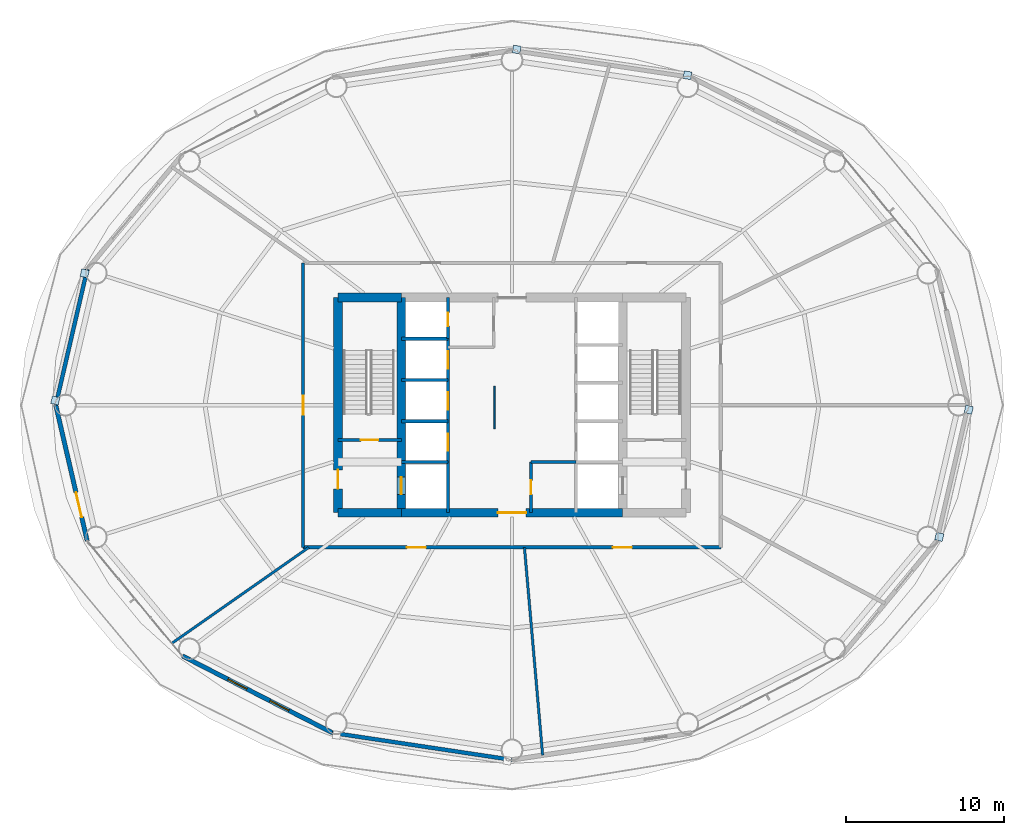
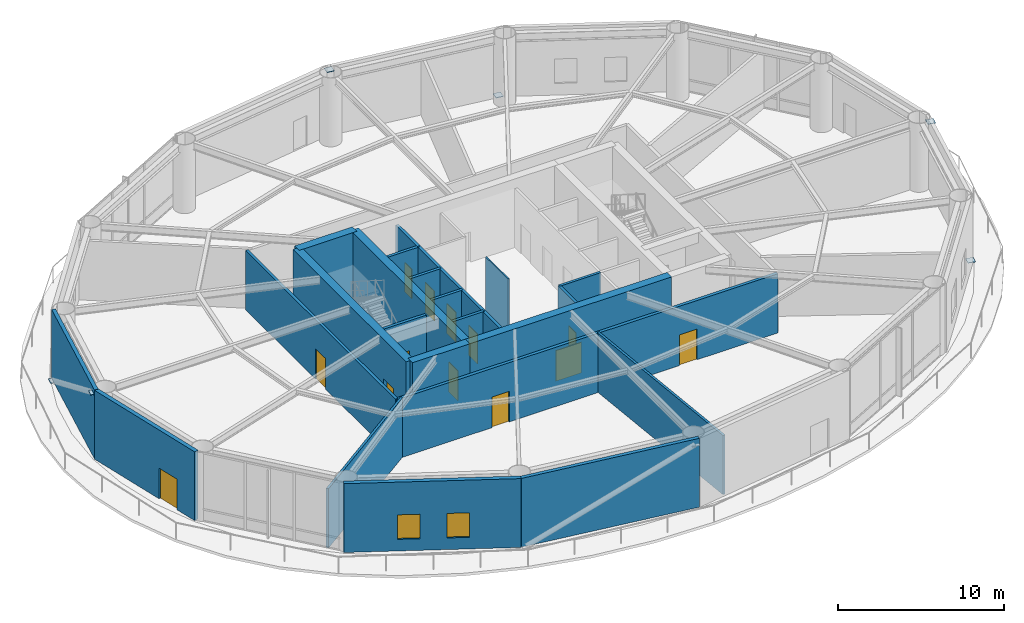
# One storey, part 20 of 25: 24 walls, 13 doors, 6 plates, 2 windows, 15 openings.
"""IFC4 building model written with IfcOpenShell, lengths in metres."""

from ifc_helpers import new_model, si_unit, direction, frame, frame_2d, origin, origin_2d, place, context, subcontext, project, spatial, rectangle, extrude, material, layer, layer_set, type_object, element, fill, save


model = new_model("IFC4")

# Units and contexts
model_context = context("Model", 3, precision=1e-05, world=origin(), true_north=direction((0.0, 1.0)))
body_context = subcontext(model_context, "Body", "Model", "MODEL_VIEW")
ifc_project = project(units=[si_unit("LENGTHUNIT", "METRE"), si_unit("AREAUNIT", "SQUARE_METRE"), si_unit("VOLUMEUNIT", "CUBIC_METRE"), si_unit("PLANEANGLEUNIT", "RADIAN"), si_unit("MASSUNIT", "GRAM", prefix="KILO")], contexts=[model_context])

# Site, building, storey
site_placement = place(None, origin())
site = spatial("IfcSite", under=ifc_project, at=site_placement, CompositionType="ELEMENT")
building_placement = place(site_placement, origin())
building = spatial("IfcBuilding", under=site, at=building_placement, Name="Sarneth Arch Tower", CompositionType="ELEMENT")
storey_placement = place(building_placement, frame((0.0, 0.0, 134.39990234375)))
storey = spatial("IfcBuildingStorey", under=building, at=storey_placement, Name="L34", CompositionType="ELEMENT", Elevation=134.39990234375)

# Plates
ifc_material_1 = material(Name="Steel S355", Category="steel")
ifc_layer_1 = layer(ifc_material_1, 0.035888671875)
ifc_layer_set_1 = layer_set([ifc_layer_1], Name="Steel S355")
plate_type = type_object("IfcPlateType", Name="PLT-GUSSET-30", PredefinedType="SHEET", material=ifc_layer_set_1)
for number, where, z_axis, x_axis, name in (
    (1, (59.0927734375, 62.859619140625, 0.001953125), (0.0, 0.0, 1.0), (-0.988860535448, 0.148845024885, 0.0), "Steel end cap plate GP-1"),
    (2, (48.296630859375, 64.4853515625, 4.66552734375), (0.0, 0.0, 1.0), (-0.988860535448, 0.148845024885, 0.0), "Steel end cap plate GP-1"),
    (3, (20.98046875, 50.32958984375, 0.001953125), (0.0, 0.0, 1.0), (-0.225291159947, -0.974291482694, 0.0), "Steel end cap plate GP-1"),
    (4, (19.121337890625, 42.292236328125, 4.66552734375), (0.0, 0.0, 1.0), (-0.225291159947, -0.974291482694, 0.0), "Steel end cap plate GP-1"),
    (5, (75.01953125, 33.67041015625, 0.001953125), (0.0, 0.0, 1.0), (0.225291159947, 0.974291482694, 0.0), "Steel end cap plate GP-1"),
    (6, (76.878662109375, 41.707763671875, 4.66552734375), (0.0, 0.0, 1.0), (0.225291159947, 0.974291482694, 0.0), "Steel end cap plate GP-1"),
):
    element("IfcPlate", number, at=place(storey_placement, frame(where, z_axis=z_axis, x_axis=x_axis)), inside=storey, type_object=plate_type, Name=name, PredefinedType="SHEET", context=body_context, shape_type="SweptSolid", body=[
        extrude(rectangle(XDim=0.486083984375, YDim=0.486083984375, at=origin_2d()), origin(), (0.0, 0.0, 1.0), 0.035888671875),
    ])

# Wall
ifc_material_2 = material(Name="Concrete C60/75", Category="concrete")
ifc_layer_2 = layer(ifc_material_2, 0.550048828125)
ifc_layer_set_2 = layer_set([ifc_layer_2], Name="Concrete C60/75")
wall_type_1 = type_object("IfcWallType", Name="WALL-CORE-550", PredefinedType="SHEAR", material=ifc_layer_set_2)
wall_1_placement = place(storey_placement, frame((37.0, 35.199951171875, 0.0), z_axis=(0.0, 0.0, 1.0), x_axis=(1.0, 0.0, 0.0)))
element("IfcWall", 7, at=wall_1_placement, inside=storey, type_object=wall_type_1, Name="L34 Core shear wall S-W", PredefinedType="SHEAR", context=body_context, shape_type="SweptSolid", body=[
    extrude(rectangle(XDim=4.0, YDim=0.550048828125, at=frame_2d((2.0, 0.0))), origin(), (0.0, 0.0, 1.0), 5.050048828125),
])

# Wall, opening, door
wall_2_placement = place(storey_placement, frame((41.0, 35.199951171875, 0.0), z_axis=(0.0, 0.0, 1.0), x_axis=(1.0, 0.0, 0.0)))
wall_2 = element("IfcWall", 8, at=wall_2_placement, inside=storey, type_object=wall_type_1, Name="L34 Core shear wall S-M", PredefinedType="SHEAR", context=body_context, shape_type="SweptSolid", body=[
    extrude(rectangle(XDim=14.0, YDim=0.550048828125, at=frame_2d((7.0, 0.0))), origin(), (0.0, 0.0, 1.0), 5.050048828125),
])
opening_1_placement = place(wall_2_placement, frame((6.10009765625, 0.0, 0.0)))
opening_1 = element("IfcOpeningElement", 9, at=opening_1_placement, cuts=wall_2, Name="Opening FD-01", PredefinedType="OPENING", context=body_context, shape_type="SweptSolid", body=[
    extrude(rectangle(XDim=1.800048828125, YDim=2.25, at=frame_2d((0.89990234375, 1.125))), frame((0.0, 0.284912109375, 0.0), z_axis=(0.0, -1.0, 0.0), x_axis=(1.0, 0.0, 0.0)), (0.0, 0.0, 1.0), 0.570068359375),
])
ifc_material_3 = material(Name="Galvanised Steel S275 fire door set", Category="steel")
door_type_1 = type_object("IfcDoorType", Name="DR-FD90-1800", OperationType="DOUBLE_DOOR_SINGLE_SWING", PredefinedType="DOOR", material=ifc_material_3)
door_1_placement = place(opening_1_placement, origin())
door_1 = element("IfcDoor", 10, at=door_1_placement, inside=storey, type_object=door_type_1, Name="L34 Central lift lobby south door", OperationType="DOUBLE_DOOR_SINGLE_SWING", OverallHeight=2.25, OverallWidth=1.800048828125, PredefinedType="DOOR", context=body_context, shape_type="SweptSolid", body=[
    extrude(rectangle(XDim=1.800048828125, YDim=2.25, at=frame_2d((0.89990234375, 1.125))), frame((0.0, 0.02490234375, 0.0), z_axis=(0.0, -1.0, 0.0), x_axis=(1.0, 0.0, 0.0)), (0.0, 0.0, 1.0), 0.050048828125),
])
fill(opening_1, door_1)

# Wall
wall_3_placement = place(storey_placement, frame((37.0, 48.800048828125, 0.0), z_axis=(0.0, 0.0, 1.0), x_axis=(1.0, 0.0, 0.0)))
element("IfcWall", 11, at=wall_3_placement, inside=storey, type_object=wall_type_1, Name="L34 Core shear wall N-W", PredefinedType="SHEAR", context=body_context, shape_type="SweptSolid", body=[
    extrude(rectangle(XDim=4.0, YDim=0.550048828125, at=frame_2d((2.0, 0.0))), origin(), (0.0, 0.0, 1.0), 5.050048828125),
])

# Wall, opening, door
wall_4_placement = place(storey_placement, frame((37.0, 35.199951171875, 0.0), z_axis=(0.0, 0.0, 1.0), x_axis=(0.0, 1.0, 0.0)))
wall_4 = element("IfcWall", 12, at=wall_4_placement, inside=storey, type_object=wall_type_1, Name="L34 Core shear wall W", PredefinedType="SHEAR", context=body_context, shape_type="SweptSolid", body=[
    extrude(rectangle(XDim=13.60009765625, YDim=0.550048828125, at=frame_2d((6.800048828125, 0.0))), origin(), (0.0, 0.0, 1.0), 5.050048828125),
])
opening_2_placement = place(wall_4_placement, frame((1.5, 0.0, 0.0)))
opening_2 = element("IfcOpeningElement", 13, at=opening_2_placement, cuts=wall_4, Name="Opening FD-02", PredefinedType="OPENING", context=body_context, shape_type="SweptSolid", body=[
    extrude(rectangle(XDim=1.199951171875, YDim=2.14990234375, at=frame_2d((0.60009765625, 1.074951171875))), frame((0.0, 0.284912109375, 0.0), z_axis=(0.0, -1.0, 0.0), x_axis=(1.0, 0.0, 0.0)), (0.0, 0.0, 1.0), 0.570068359375),
])
ifc_material_4 = material(Name="Galvanised Steel S275 fire door set", Category="steel")
door_type_2 = type_object("IfcDoorType", Name="DR-FD90-1200", OperationType="SINGLE_SWING_LEFT", PredefinedType="DOOR", material=ifc_material_4)
door_2_placement = place(opening_2_placement, origin())
door_2 = element("IfcDoor", 14, at=door_2_placement, inside=storey, type_object=door_type_2, Name="L34 Firefighting lobby 1 exit door", OperationType="SINGLE_SWING_LEFT", OverallHeight=2.14990234375, OverallWidth=1.199951171875, PredefinedType="DOOR", context=body_context, shape_type="SweptSolid", body=[
    extrude(rectangle(XDim=1.199951171875, YDim=2.14990234375, at=frame_2d((0.60009765625, 1.074951171875))), frame((0.0, 0.02490234375, 0.0), z_axis=(0.0, -1.0, 0.0), x_axis=(1.0, 0.0, 0.0)), (0.0, 0.0, 1.0), 0.050048828125),
])
fill(opening_2, door_2)

wall_5_placement = place(storey_placement, frame((41.0, 35.199951171875, 0.0), z_axis=(0.0, 0.0, 1.0), x_axis=(0.0, 1.0, 0.0)))
wall_5 = element("IfcWall", 15, at=wall_5_placement, inside=storey, type_object=wall_type_1, Name="L34 Core shear wall WEB-W", PredefinedType="SHEAR", context=body_context, shape_type="SweptSolid", body=[
    extrude(rectangle(XDim=13.60009765625, YDim=0.550048828125, at=frame_2d((6.800048828125, 0.0))), origin(), (0.0, 0.0, 1.0), 5.050048828125),
])
opening_3_placement = place(wall_5_placement, frame((1.14990234375, 0.0, 0.0)))
opening_3 = element("IfcOpeningElement", 16, at=opening_3_placement, cuts=wall_5, Name="Opening LD-1", PredefinedType="OPENING", context=body_context, shape_type="SweptSolid", body=[
    extrude(rectangle(XDim=1.10009765625, YDim=2.199951171875, at=frame_2d((0.550048828125, 1.10009765625))), frame((0.0, 0.284912109375, 0.0), z_axis=(0.0, -1.0, 0.0), x_axis=(1.0, 0.0, 0.0)), (0.0, 0.0, 1.0), 0.570068359375),
])
ifc_material_5 = material(Name="Brushed Stainless Steel 304 lift landing door", Category="steel")
door_type_3 = type_object("IfcDoorType", Name="DR-LIFT-SLIDE-1100", OperationType="SLIDING_TO_LEFT", PredefinedType="DOOR", material=ifc_material_5)
door_3_placement = place(opening_3_placement, origin())
door_3 = element("IfcDoor", 17, at=door_3_placement, inside=storey, type_object=door_type_3, Name="L34 Firefighting lift landing door FL-1", OperationType="SLIDING_TO_LEFT", OverallHeight=2.199951171875, OverallWidth=1.10009765625, PredefinedType="DOOR", context=body_context, shape_type="SweptSolid", body=[
    extrude(rectangle(XDim=1.10009765625, YDim=2.199951171875, at=frame_2d((0.550048828125, 1.10009765625))), frame((0.0, 0.02490234375, 0.0), z_axis=(0.0, -1.0, 0.0), x_axis=(1.0, 0.0, 0.0)), (0.0, 0.0, 1.0), 0.050048828125),
])
fill(opening_3, door_3)

ifc_material_6 = material(Name="Double steel-stud corridor fire wall", Category="steel")
ifc_layer_3 = layer(ifc_material_6, 0.18994140625)
ifc_layer_set_3 = layer_set([ifc_layer_3], Name="Double steel-stud corridor fire wall")
wall_type_2 = type_object("IfcWallType", Name="WALL-CORR-190", PredefinedType="PARTITIONING", material=ifc_layer_set_3)
wall_6_placement = place(storey_placement, frame((34.800048828125, 33.0, 0.0), z_axis=(0.0, 0.0, 1.0), x_axis=(0.0, 1.0, 0.0)))
wall_6 = element("IfcWall", 18, at=wall_6_placement, inside=storey, type_object=wall_type_2, Name="L34 Interior partition W-L34-TP-006", PredefinedType="PARTITIONING", context=body_context, shape_type="SweptSolid", body=[
    extrude(rectangle(XDim=18.0, YDim=0.18994140625, at=frame_2d((9.0, 0.0))), origin(), (0.0, 0.0, 1.0), 4.35009765625),
])
opening_4_placement = place(wall_6_placement, frame((8.39990234375, 0.0, 0.0)))
opening_4 = element("IfcOpeningElement", 19, at=opening_4_placement, cuts=wall_6, Name="Opening FD-06", PredefinedType="OPENING", context=body_context, shape_type="SweptSolid", body=[
    extrude(rectangle(XDim=1.199951171875, YDim=2.25, at=frame_2d((0.60009765625, 1.125))), frame((0.0, 0.10498046875, 0.0), z_axis=(0.0, -1.0, 0.0), x_axis=(1.0, 0.0, 0.0)), (0.0, 0.0, 1.0), 0.2099609375),
])
ifc_material_7 = material(Name="Hardwood timber acoustic fire door", Category="wood")
door_type_4 = type_object("IfcDoorType", Name="DR-FD60-1200", OperationType="SINGLE_SWING_LEFT", PredefinedType="DOOR", material=ifc_material_7)
door_4_placement = place(opening_4_placement, origin())
door_4 = element("IfcDoor", 20, at=door_4_placement, inside=storey, type_object=door_type_4, Name="L34 Interior door DR-L34-SEC-4", OperationType="SINGLE_SWING_LEFT", OverallHeight=2.25, OverallWidth=1.199951171875, PredefinedType="DOOR", context=body_context, shape_type="SweptSolid", body=[
    extrude(rectangle(XDim=1.199951171875, YDim=2.25, at=frame_2d((0.60009765625, 1.125))), frame((0.0, 0.02490234375, 0.0), z_axis=(0.0, -1.0, 0.0), x_axis=(1.0, 0.0, 0.0)), (0.0, 0.0, 1.0), 0.050048828125),
])
fill(opening_4, door_4)

# Walls
ifc_material_8 = material(Name="Extruded terracotta rainscreen on Concrete C40/50 backing", Category="masonry")
ifc_layer_4 = layer(ifc_material_8, 0.25)
ifc_layer_set_4 = layer_set([ifc_layer_4], Name="Extruded terracotta rainscreen on Concrete C40/50 backing")
wall_type_3 = type_object("IfcWallType", Name="WALL-EXT-SPAND-250", PredefinedType="SOLIDWALL", material=ifc_layer_set_4)
wall_7_placement = place(storey_placement, frame((21.138671875, 50.58349609375, 0.0), z_axis=(0.0, 0.0, 1.0), x_axis=(-0.22558597182, -0.974223264616, 0.0)))
element("IfcWall", 21, at=wall_7_placement, inside=storey, type_object=wall_type_3, Name="L34 Terracotta perimeter wall 08", PredefinedType="SOLIDWALL", context=body_context, shape_type="SweptSolid", body=[
    extrude(rectangle(XDim=8.810546875, YDim=0.25, at=frame_2d((4.4052734375, 0.0))), origin(), (0.0, 0.0, 1.0), 5.050048828125),
])
wall_8_placement = place(storey_placement, frame((36.648681640625, 21.27734375, 0.0), z_axis=(0.0, 0.0, 1.0), x_axis=(0.988877774656, -0.148730450117, 0.0)))
element("IfcWall", 22, at=wall_8_placement, inside=storey, type_object=wall_type_3, Name="L34 Terracotta perimeter wall 12", PredefinedType="SOLIDWALL", context=body_context, shape_type="SweptSolid", body=[
    extrude(rectangle(XDim=11.47900390625, YDim=0.25, at=frame_2d((5.739501953125, 0.0))), origin(), (0.0, 0.0, 1.0), 5.050048828125),
])

# Wall, opening, door
ifc_material_9 = material(Name="Extruded terracotta rainscreen on Concrete C40/50 backing", Category="masonry")
ifc_layer_5 = layer(ifc_material_9, 0.280029296875)
ifc_layer_set_5 = layer_set([ifc_layer_5], Name="Extruded terracotta rainscreen on Concrete C40/50 backing")
wall_type_4 = type_object("IfcWallType", Name="WALL-EXT-TERRA-280", PredefinedType="SOLIDWALL", material=ifc_layer_set_5)
wall_9_placement = place(storey_placement, frame((19.151123046875, 42.0, 0.0), z_axis=(0.0, 0.0, 1.0), x_axis=(0.22558597182, -0.974223264616, 0.0)))
wall_9 = element("IfcWall", 23, at=wall_9_placement, inside=storey, type_object=wall_type_4, Name="L34 Terracotta perimeter wall 09", PredefinedType="SOLIDWALL", context=body_context, shape_type="SweptSolid", body=[
    extrude(rectangle(XDim=8.810546875, YDim=0.280029296875, at=frame_2d((4.4052734375, 0.0))), origin(), (0.0, 0.0, 1.0), 5.050048828125),
])
opening_5_placement = place(wall_9_placement, frame((5.674560546875, 0.0, 0.0)))
opening_5 = element("IfcOpeningElement", 24, at=opening_5_placement, cuts=wall_9, Name="Opening BD-1", PredefinedType="OPENING", context=body_context, shape_type="SweptSolid", body=[
    extrude(rectangle(XDim=1.60009765625, YDim=2.25, at=frame_2d((0.800048828125, 1.125))), frame((0.0, 0.14990234375, 0.0), z_axis=(0.0, -1.0, 0.0), x_axis=(1.0, 0.0, 0.0)), (0.0, 0.0, 1.0), 0.300048828125),
])
ifc_material_10 = material(Name="Thermally broken Aluminium 6063-T6 and laminated safety glass", Category="aluminium")
door_type_5 = type_object("IfcDoorType", Name="DR-BALC-GLZ-1600", OperationType="DOUBLE_DOOR_SINGLE_SWING", PredefinedType="DOOR", material=ifc_material_10)
door_5_placement = place(opening_5_placement, origin())
door_5 = element("IfcDoor", 25, at=door_5_placement, inside=storey, type_object=door_type_5, Name="L34 Balcony glazed door 09", OperationType="DOUBLE_DOOR_SINGLE_SWING", OverallHeight=2.25, OverallWidth=1.60009765625, PredefinedType="DOOR", context=body_context, shape_type="SweptSolid", body=[
    extrude(rectangle(XDim=1.60009765625, YDim=2.25, at=frame_2d((0.800048828125, 1.125))), frame((0.0, 0.02490234375, 0.0), z_axis=(0.0, -1.0, 0.0), x_axis=(1.0, 0.0, 0.0)), (0.0, 0.0, 1.0), 0.050048828125),
])
fill(opening_5, door_5)

# Wall, openings, windows
wall_10_placement = place(storey_placement, frame((27.159912109375, 26.1396484375, 0.0), z_axis=(0.0, 0.0, 1.0), x_axis=(0.889959505023, -0.45603955905, 0.0)))
wall_10 = element("IfcWall", 26, at=wall_10_placement, inside=storey, type_object=wall_type_4, Name="L34 Terracotta perimeter wall 11", PredefinedType="SOLIDWALL", context=body_context, shape_type="SweptSolid", body=[
    extrude(rectangle(XDim=10.662109375, YDim=0.280029296875, at=frame_2d((5.3310546875, 0.0))), origin(), (0.0, 0.0, 1.0), 5.050048828125),
])
opening_6_placement = place(wall_10_placement, frame((3.230712890625, 0.0, 0.85009765625)))
opening_6 = element("IfcOpeningElement", 27, at=opening_6_placement, cuts=wall_10, Name="Opening W-08", PredefinedType="OPENING", context=body_context, shape_type="SweptSolid", body=[
    extrude(rectangle(XDim=1.35009765625, YDim=1.800048828125, at=frame_2d((0.675048828125, 0.89990234375))), frame((0.0, 0.14990234375, 0.0), z_axis=(0.0, -1.0, 0.0), x_axis=(1.0, 0.0, 0.0)), (0.0, 0.0, 1.0), 0.300048828125),
])
opening_7_placement = place(wall_10_placement, frame((6.220703125, 0.0, 0.85009765625)))
opening_7 = element("IfcOpeningElement", 28, at=opening_7_placement, cuts=wall_10, Name="Opening W-08", PredefinedType="OPENING", context=body_context, shape_type="SweptSolid", body=[
    extrude(rectangle(XDim=1.35009765625, YDim=1.800048828125, at=frame_2d((0.675048828125, 0.89990234375))), frame((0.0, 0.14990234375, 0.0), z_axis=(0.0, -1.0, 0.0), x_axis=(1.0, 0.0, 0.0)), (0.0, 0.0, 1.0), 0.300048828125),
])
ifc_material_11 = material(Name="Thermally broken Aluminium 6063-T6 and low-e laminated IGU", Category="aluminium")
window_type = type_object("IfcWindowType", Name="WIN-TWR-1350x1800", PartitioningType="SINGLE_PANEL", PredefinedType="WINDOW", material=ifc_material_11)
window_1_placement = place(opening_6_placement, origin())
window_1 = element("IfcWindow", 29, at=window_1_placement, inside=storey, type_object=window_type, Name="L34 Exterior window 11A", OverallHeight=1.800048828125, OverallWidth=1.35009765625, PartitioningType="SINGLE_PANEL", PredefinedType="WINDOW", context=body_context, shape_type="SweptSolid", body=[
    extrude(rectangle(XDim=1.35009765625, YDim=1.800048828125, at=frame_2d((0.675048828125, 0.89990234375))), frame((0.0, 0.030029296875, 0.0), z_axis=(0.0, -1.0, 0.0), x_axis=(1.0, 0.0, 0.0)), (0.0, 0.0, 1.0), 0.06005859375),
])
fill(opening_6, window_1)
window_2_placement = place(opening_7_placement, origin())
window_2 = element("IfcWindow", 30, at=window_2_placement, inside=storey, type_object=window_type, Name="L34 Exterior window 11B", OverallHeight=1.800048828125, OverallWidth=1.35009765625, PartitioningType="SINGLE_PANEL", PredefinedType="WINDOW", context=body_context, shape_type="SweptSolid", body=[
    extrude(rectangle(XDim=1.35009765625, YDim=1.800048828125, at=frame_2d((0.675048828125, 0.89990234375))), frame((0.0, 0.030029296875, 0.0), z_axis=(0.0, -1.0, 0.0), x_axis=(1.0, 0.0, 0.0)), (0.0, 0.0, 1.0), 0.06005859375),
])
fill(opening_7, window_2)

# Wall, openings, doors
ifc_material_12 = material(Name="Aerated concrete blockwork C25/30", Category="masonry")
ifc_layer_6 = layer(ifc_material_12, 0.219970703125)
ifc_layer_set_6 = layer_set([ifc_layer_6], Name="Aerated concrete blockwork C25/30")
wall_type_5 = type_object("IfcWallType", Name="WALL-FIRE-220", PredefinedType="SOLIDWALL", material=ifc_layer_set_6)
wall_11_placement = place(storey_placement, frame((61.199951171875, 33.0, 0.0), z_axis=(0.0, 0.0, 1.0), x_axis=(-1.0, 0.0, 0.0)))
wall_11 = element("IfcWall", 31, at=wall_11_placement, inside=storey, type_object=wall_type_5, Name="L34 Interior partition W-L34-TP-008", PredefinedType="SOLIDWALL", context=body_context, shape_type="SweptSolid", body=[
    extrude(rectangle(XDim=26.39990234375, YDim=0.219970703125, at=frame_2d((13.199951171875, 0.0))), origin(), (0.0, 0.0, 1.0), 4.35009765625),
])
opening_8_placement = place(wall_11_placement, frame((18.644775390625, 0.0, 0.0)))
opening_8 = element("IfcOpeningElement", 32, at=opening_8_placement, cuts=wall_11, Name="Opening FD-06", PredefinedType="OPENING", context=body_context, shape_type="SweptSolid", body=[
    extrude(rectangle(XDim=1.199951171875, YDim=2.25, at=frame_2d((0.60009765625, 1.125))), frame((0.0, 0.119873046875, 0.0), z_axis=(0.0, -1.0, 0.0), x_axis=(1.0, 0.0, 0.0)), (0.0, 0.0, 1.0), 0.239990234375),
])
opening_9_placement = place(wall_11_placement, frame((5.622314453125, 0.0, 0.0)))
opening_9 = element("IfcOpeningElement", 33, at=opening_9_placement, cuts=wall_11, Name="Opening FD-06", PredefinedType="OPENING", context=body_context, shape_type="SweptSolid", body=[
    extrude(rectangle(XDim=1.199951171875, YDim=2.25, at=frame_2d((0.60009765625, 1.125))), frame((0.0, 0.119873046875, 0.0), z_axis=(0.0, -1.0, 0.0), x_axis=(1.0, 0.0, 0.0)), (0.0, 0.0, 1.0), 0.239990234375),
])
door_6_placement = place(opening_8_placement, origin())
door_6 = element("IfcDoor", 34, at=door_6_placement, inside=storey, type_object=door_type_4, Name="L34 Interior door DR-L34-SEC-5", OperationType="SINGLE_SWING_RIGHT", OverallHeight=2.25, OverallWidth=1.199951171875, PredefinedType="DOOR", context=body_context, shape_type="SweptSolid", body=[
    extrude(rectangle(XDim=1.199951171875, YDim=2.25, at=frame_2d((0.60009765625, 1.125))), frame((0.0, 0.02490234375, 0.0), z_axis=(0.0, -1.0, 0.0), x_axis=(1.0, 0.0, 0.0)), (0.0, 0.0, 1.0), 0.050048828125),
])
fill(opening_8, door_6)
door_7_placement = place(opening_9_placement, origin())
door_7 = element("IfcDoor", 35, at=door_7_placement, inside=storey, type_object=door_type_4, Name="L34 Interior door DR-L34-SEC-6", OperationType="SINGLE_SWING_LEFT", OverallHeight=2.25, OverallWidth=1.199951171875, PredefinedType="DOOR", context=body_context, shape_type="SweptSolid", body=[
    extrude(rectangle(XDim=1.199951171875, YDim=2.25, at=frame_2d((0.60009765625, 1.125))), frame((0.0, 0.02490234375, 0.0), z_axis=(0.0, -1.0, 0.0), x_axis=(1.0, 0.0, 0.0)), (0.0, 0.0, 1.0), 0.050048828125),
])
fill(opening_9, door_7)

# Walls
ifc_material_13 = material(Name="Demountable acoustic operable wall", Category="aluminium")
ifc_layer_7 = layer(ifc_material_13, 0.10009765625)
ifc_layer_set_7 = layer_set([ifc_layer_7], Name="Demountable acoustic operable wall")
wall_type_6 = type_object("IfcWallType", Name="WALL-MOVABLE-100", PredefinedType="MOVABLE", material=ifc_layer_set_7)
wall_12_placement = place(storey_placement, frame((46.89990234375, 40.5, 0.0), z_axis=(0.0, 0.0, 1.0), x_axis=(0.0, 1.0, 0.0)))
element("IfcWall", 36, at=wall_12_placement, inside=storey, type_object=wall_type_6, Name="L34 Lobby acoustic screen 5", PredefinedType="MOVABLE", context=body_context, shape_type="SweptSolid", body=[
    extrude(rectangle(XDim=2.699951171875, YDim=0.10009765625, at=frame_2d((1.35009765625, 0.0))), origin(), (0.0, 0.0, 1.0), 4.35009765625),
])
ifc_material_14 = material(Name="Kitchen wet service chase wall", Category="gypsum")
ifc_layer_8 = layer(ifc_material_14, 0.159912109375)
ifc_layer_set_8 = layer_set([ifc_layer_8], Name="Kitchen wet service chase wall")
wall_type_7 = type_object("IfcWallType", Name="WALL-PLUMB-160", PredefinedType="PLUMBINGWALL", material=ifc_layer_set_8)
wall_13_placement = place(storey_placement, frame((49.93701171875, 19.861328125, 0.0), z_axis=(0.0, 0.0, 1.0), x_axis=(-0.087168787326, 0.996193556753, 0.0)))
element("IfcWall", 37, at=wall_13_placement, inside=storey, type_object=wall_type_7, Name="L34 Interior partition W-L34-TP-017", PredefinedType="PLUMBINGWALL", context=body_context, shape_type="SweptSolid", body=[
    extrude(rectangle(XDim=13.18896484375, YDim=0.159912109375, at=frame_2d((6.594482421875, 0.0))), origin(), (0.0, 0.0, 1.0), 4.35009765625),
])
wall_14_placement = place(storey_placement, frame((26.49560546875, 26.9423828125, 0.0), z_axis=(0.0, 0.0, 1.0), x_axis=(0.819150459782, 0.573578699255, 0.0)))
element("IfcWall", 38, at=wall_14_placement, inside=storey, type_object=wall_type_7, Name="L34 Interior partition W-L34-TP-016", PredefinedType="PLUMBINGWALL", context=body_context, shape_type="SweptSolid", body=[
    extrude(rectangle(XDim=10.56103515625, YDim=0.159912109375, at=frame_2d((5.280517578125, 0.0))), origin(), (0.0, 0.0, 1.0), 4.35009765625),
])
ifc_material_15 = material(Name="Moisture-resistant plumbing chase wall", Category="gypsum")
ifc_layer_9 = layer(ifc_material_15, 0.179931640625)
ifc_layer_set_9 = layer_set([ifc_layer_9], Name="Moisture-resistant plumbing chase wall")
wall_type_8 = type_object("IfcWallType", Name="WALL-PLUMB-180", PredefinedType="PLUMBINGWALL", material=ifc_layer_set_9)
wall_15_placement = place(storey_placement, frame((49.199951171875, 38.39990234375, 0.0), z_axis=(0.0, 0.0, 1.0), x_axis=(1.0, 0.0, 0.0)))
element("IfcWall", 39, at=wall_15_placement, inside=storey, type_object=wall_type_8, Name="L34 Interior partition W-L34-AWC-N", PredefinedType="PLUMBINGWALL", context=body_context, shape_type="SweptSolid", body=[
    extrude(rectangle(XDim=2.85009765625, YDim=0.179931640625, at=frame_2d((1.425048828125, 0.0))), origin(), (0.0, 0.0, 1.0), 4.35009765625),
])

# Wall, opening, door
wall_16_placement = place(storey_placement, frame((49.199951171875, 35.199951171875, 0.0), z_axis=(0.0, 0.0, 1.0), x_axis=(0.0, 1.0, 0.0)))
wall_16 = element("IfcWall", 40, at=wall_16_placement, inside=storey, type_object=wall_type_8, Name="L34 Interior partition W-L34-AWC-W", PredefinedType="PLUMBINGWALL", context=body_context, shape_type="SweptSolid", body=[
    extrude(rectangle(XDim=3.199951171875, YDim=0.179931640625, at=frame_2d((1.60009765625, 0.0))), origin(), (0.0, 0.0, 1.0), 4.35009765625),
])
opening_10_placement = place(wall_16_placement, frame((1.14990234375, 0.0, 0.0)))
opening_10 = element("IfcOpeningElement", 41, at=opening_10_placement, cuts=wall_16, Name="Opening ID-01", PredefinedType="OPENING", context=body_context, shape_type="SweptSolid", body=[
    extrude(rectangle(XDim=0.89990234375, YDim=2.10009765625, at=frame_2d((0.449951171875, 1.050048828125))), frame((0.0, 0.099853515625, 0.0), z_axis=(0.0, -1.0, 0.0), x_axis=(1.0, 0.0, 0.0)), (0.0, 0.0, 1.0), 0.199951171875),
])
ifc_material_16 = material(Name="Engineered hardwood flush door", Category="wood")
door_type_6 = type_object("IfcDoorType", Name="DR-INT-900", OperationType="SINGLE_SWING_LEFT", PredefinedType="DOOR", material=ifc_material_16)
door_8_placement = place(opening_10_placement, origin())
door_8 = element("IfcDoor", 42, at=door_8_placement, inside=storey, type_object=door_type_6, Name="L34 Interior door DR-L34-AWC", OperationType="SINGLE_SWING_RIGHT", OverallHeight=2.10009765625, OverallWidth=0.89990234375, PredefinedType="DOOR", context=body_context, shape_type="SweptSolid", body=[
    extrude(rectangle(XDim=0.89990234375, YDim=2.10009765625, at=frame_2d((0.449951171875, 1.050048828125))), frame((0.0, 0.02490234375, 0.0), z_axis=(0.0, -1.0, 0.0), x_axis=(1.0, 0.0, 0.0)), (0.0, 0.0, 1.0), 0.050048828125),
])
fill(opening_10, door_8)

ifc_material_17 = material(Name="Aerated concrete blockwork C25/30", Category="masonry")
ifc_layer_10 = layer(ifc_material_17, 0.199951171875)
ifc_layer_set_10 = layer_set([ifc_layer_10], Name="Aerated concrete blockwork C25/30")
wall_type_9 = type_object("IfcWallType", Name="WALL-SHAFT-200", PredefinedType="SOLIDWALL", material=ifc_layer_set_10)
wall_17_placement = place(storey_placement, frame((37.0, 39.800048828125, 0.0), z_axis=(0.0, 0.0, 1.0), x_axis=(1.0, 0.0, 0.0)))
wall_17 = element("IfcWall", 43, at=wall_17_placement, inside=storey, type_object=wall_type_9, Name="L34 Interior partition W-L34-ST1-S", PredefinedType="SOLIDWALL", context=body_context, shape_type="SweptSolid", body=[
    extrude(rectangle(XDim=4.0, YDim=0.199951171875, at=frame_2d((2.0, 0.0))), origin(), (0.0, 0.0, 1.0), 4.35009765625),
])
opening_11_placement = place(wall_17_placement, frame((1.449951171875, 0.0, 0.0)))
opening_11 = element("IfcOpeningElement", 44, at=opening_11_placement, cuts=wall_17, Name="Opening FD-03", PredefinedType="OPENING", context=body_context, shape_type="SweptSolid", body=[
    extrude(rectangle(XDim=1.10009765625, YDim=2.14990234375, at=frame_2d((0.550048828125, 1.074951171875))), frame((0.0, 0.10986328125, 0.0), z_axis=(0.0, -1.0, 0.0), x_axis=(1.0, 0.0, 0.0)), (0.0, 0.0, 1.0), 0.219970703125),
])
ifc_material_18 = material(Name="Galvanised Steel S275 fire door set", Category="steel")
door_type_7 = type_object("IfcDoorType", Name="DR-FD90-1100", OperationType="SINGLE_SWING_LEFT", PredefinedType="DOOR", material=ifc_material_18)
door_9_placement = place(opening_11_placement, origin())
door_9 = element("IfcDoor", 45, at=door_9_placement, inside=storey, type_object=door_type_7, Name="L34 Interior door DR-L34-ST1", OperationType="SINGLE_SWING_LEFT", OverallHeight=2.14990234375, OverallWidth=1.10009765625, PredefinedType="DOOR", context=body_context, shape_type="SweptSolid", body=[
    extrude(rectangle(XDim=1.10009765625, YDim=2.14990234375, at=frame_2d((0.550048828125, 1.074951171875))), frame((0.0, 0.02490234375, 0.0), z_axis=(0.0, -1.0, 0.0), x_axis=(1.0, 0.0, 0.0)), (0.0, 0.0, 1.0), 0.050048828125),
])
fill(opening_11, door_9)

# Walls
wall_18_placement = place(storey_placement, frame((43.949951171875, 35.199951171875, 0.0), z_axis=(0.0, 0.0, 1.0), x_axis=(0.0, 1.0, 0.0)))
element("IfcWall", 46, at=wall_18_placement, inside=storey, type_object=wall_type_9, Name="L34 Interior partition W-L34-FL1-E", PredefinedType="SOLIDWALL", context=body_context, shape_type="SweptSolid", body=[
    extrude(rectangle(XDim=3.199951171875, YDim=0.199951171875, at=frame_2d((1.60009765625, 0.0))), origin(), (0.0, 0.0, 1.0), 4.35009765625),
])
for number, where, z_axis, x_axis, name in (
    (47, (41.0, 38.39990234375, 0.0), (0.0, 0.0, 1.0), (1.0, 0.0, 0.0), "L34 Interior partition W-L34-FL1-N"),
    (48, (41.0, 46.199951171875, 0.0), (0.0, 0.0, 1.0), (1.0, 0.0, 0.0), "L34 Interior partition W-L34-RISER-S"),
):
    element("IfcWall", number, at=place(storey_placement, frame(where, z_axis=z_axis, x_axis=x_axis)), inside=storey, type_object=wall_type_9, Name=name, PredefinedType="SOLIDWALL", context=body_context, shape_type="SweptSolid", body=[
        extrude(rectangle(XDim=2.949951171875, YDim=0.199951171875, at=frame_2d((1.47509765625, 0.0))), origin(), (0.0, 0.0, 1.0), 4.35009765625),
    ])

# Wall, opening, door
wall_19_placement = place(storey_placement, frame((43.949951171875, 46.199951171875, 0.0), z_axis=(0.0, 0.0, 1.0), x_axis=(0.0, 1.0, 0.0)))
wall_19 = element("IfcWall", 49, at=wall_19_placement, inside=storey, type_object=wall_type_9, Name="L34 Interior partition W-L34-RISER-E", PredefinedType="SOLIDWALL", context=body_context, shape_type="SweptSolid", body=[
    extrude(rectangle(XDim=2.60009765625, YDim=0.199951171875, at=frame_2d((1.300048828125, 0.0))), origin(), (0.0, 0.0, 1.0), 4.35009765625),
])
opening_12_placement = place(wall_19_placement, frame((0.800048828125, 0.0, 0.0)))
opening_12 = element("IfcOpeningElement", 50, at=opening_12_placement, cuts=wall_19, Name="Opening FD-11", PredefinedType="OPENING", context=body_context, shape_type="SweptSolid", body=[
    extrude(rectangle(XDim=0.85009765625, YDim=2.14990234375, at=frame_2d((0.425048828125, 1.074951171875))), frame((0.0, 0.10986328125, 0.0), z_axis=(0.0, -1.0, 0.0), x_axis=(1.0, 0.0, 0.0)), (0.0, 0.0, 1.0), 0.219970703125),
])
ifc_material_19 = material(Name="Galvanised Steel S275 closet fire door", Category="steel")
door_type_8 = type_object("IfcDoorType", Name="DR-FD60-850", OperationType="SINGLE_SWING_LEFT", PredefinedType="DOOR", material=ifc_material_19)
door_10_placement = place(opening_12_placement, origin())
door_10 = element("IfcDoor", 51, at=door_10_placement, inside=storey, type_object=door_type_8, Name="L34 Lift landing door DR-L34-RISER", OperationType="SINGLE_SWING_LEFT", OverallHeight=2.14990234375, OverallWidth=0.85009765625, PredefinedType="DOOR", context=body_context, shape_type="SweptSolid", body=[
    extrude(rectangle(XDim=0.85009765625, YDim=2.14990234375, at=frame_2d((0.425048828125, 1.074951171875))), frame((0.0, 0.02490234375, 0.0), z_axis=(0.0, -1.0, 0.0), x_axis=(1.0, 0.0, 0.0)), (0.0, 0.0, 1.0), 0.050048828125),
])
fill(opening_12, door_10)

# Wall, openings, doors
wall_20_placement = place(storey_placement, frame((43.949951171875, 38.39990234375, 0.0), z_axis=(0.0, 0.0, 1.0), x_axis=(0.0, 1.0, 0.0)))
wall_20 = element("IfcWall", 52, at=wall_20_placement, inside=storey, type_object=wall_type_9, Name="L34 Interior partition W-L34-WESTBANK-FRONT", PredefinedType="SOLIDWALL", context=body_context, shape_type="SweptSolid", body=[
    extrude(rectangle(XDim=7.800048828125, YDim=0.199951171875, at=frame_2d((3.89990234375, 0.0))), origin(), (0.0, 0.0, 1.0), 4.35009765625),
])
opening_13_placement = place(wall_20_placement, frame((0.699951171875, 0.0, 0.0)))
opening_13 = element("IfcOpeningElement", 53, at=opening_13_placement, cuts=wall_20, Name="Opening LD-1", PredefinedType="OPENING", context=body_context, shape_type="SweptSolid", body=[
    extrude(rectangle(XDim=1.10009765625, YDim=2.199951171875, at=frame_2d((0.550048828125, 1.10009765625))), frame((0.0, 0.10986328125, 0.0), z_axis=(0.0, -1.0, 0.0), x_axis=(1.0, 0.0, 0.0)), (0.0, 0.0, 1.0), 0.219970703125),
])
opening_14_placement = place(wall_20_placement, frame((3.300048828125, 0.0, 0.0)))
opening_14 = element("IfcOpeningElement", 54, at=opening_14_placement, cuts=wall_20, Name="Opening LD-1", PredefinedType="OPENING", context=body_context, shape_type="SweptSolid", body=[
    extrude(rectangle(XDim=1.10009765625, YDim=2.199951171875, at=frame_2d((0.550048828125, 1.10009765625))), frame((0.0, 0.10986328125, 0.0), z_axis=(0.0, -1.0, 0.0), x_axis=(1.0, 0.0, 0.0)), (0.0, 0.0, 1.0), 0.219970703125),
])
opening_15_placement = place(wall_20_placement, frame((5.89990234375, 0.0, 0.0)))
opening_15 = element("IfcOpeningElement", 55, at=opening_15_placement, cuts=wall_20, Name="Opening LD-1", PredefinedType="OPENING", context=body_context, shape_type="SweptSolid", body=[
    extrude(rectangle(XDim=1.10009765625, YDim=2.199951171875, at=frame_2d((0.550048828125, 1.10009765625))), frame((0.0, 0.10986328125, 0.0), z_axis=(0.0, -1.0, 0.0), x_axis=(1.0, 0.0, 0.0)), (0.0, 0.0, 1.0), 0.219970703125),
])
door_11_placement = place(opening_13_placement, origin())
door_11 = element("IfcDoor", 56, at=door_11_placement, inside=storey, type_object=door_type_3, Name="L34 Lift landing door DR-L34-LD-PL1", OperationType="SLIDING_TO_LEFT", OverallHeight=2.199951171875, OverallWidth=1.10009765625, PredefinedType="DOOR", context=body_context, shape_type="SweptSolid", body=[
    extrude(rectangle(XDim=1.10009765625, YDim=2.199951171875, at=frame_2d((0.550048828125, 1.10009765625))), frame((0.0, 0.02490234375, 0.0), z_axis=(0.0, -1.0, 0.0), x_axis=(1.0, 0.0, 0.0)), (0.0, 0.0, 1.0), 0.050048828125),
])
fill(opening_13, door_11)
door_12_placement = place(opening_14_placement, origin())
door_12 = element("IfcDoor", 57, at=door_12_placement, inside=storey, type_object=door_type_3, Name="L34 Lift landing door DR-L34-LD-PL2", OperationType="SLIDING_TO_RIGHT", OverallHeight=2.199951171875, OverallWidth=1.10009765625, PredefinedType="DOOR", context=body_context, shape_type="SweptSolid", body=[
    extrude(rectangle(XDim=1.10009765625, YDim=2.199951171875, at=frame_2d((0.550048828125, 1.10009765625))), frame((0.0, 0.02490234375, 0.0), z_axis=(0.0, -1.0, 0.0), x_axis=(1.0, 0.0, 0.0)), (0.0, 0.0, 1.0), 0.050048828125),
])
fill(opening_14, door_12)
door_13_placement = place(opening_15_placement, origin())
door_13 = element("IfcDoor", 58, at=door_13_placement, inside=storey, type_object=door_type_3, Name="L34 Lift landing door DR-L34-LD-PM1", OperationType="SLIDING_TO_LEFT", OverallHeight=2.199951171875, OverallWidth=1.10009765625, PredefinedType="DOOR", context=body_context, shape_type="SweptSolid", body=[
    extrude(rectangle(XDim=1.10009765625, YDim=2.199951171875, at=frame_2d((0.550048828125, 1.10009765625))), frame((0.0, 0.02490234375, 0.0), z_axis=(0.0, -1.0, 0.0), x_axis=(1.0, 0.0, 0.0)), (0.0, 0.0, 1.0), 0.050048828125),
])
fill(opening_15, door_13)

# Walls
for number, where, z_axis, x_axis, name in (
    (59, (41.0, 40.97998046875, 0.0), (0.0, 0.0, 1.0), (1.0, 0.0, 0.0), "L34 Interior partition W-L34-WB-DIV-4098"),
    (60, (41.0, 43.580078125, 0.0), (0.0, 0.0, 1.0), (1.0, 0.0, 0.0), "L34 Interior partition W-L34-WB-DIV-4358"),
):
    element("IfcWall", number, at=place(storey_placement, frame(where, z_axis=z_axis, x_axis=x_axis)), inside=storey, type_object=wall_type_9, Name=name, PredefinedType="SOLIDWALL", context=body_context, shape_type="SweptSolid", body=[
        extrude(rectangle(XDim=2.949951171875, YDim=0.199951171875, at=frame_2d((1.47509765625, 0.0))), origin(), (0.0, 0.0, 1.0), 4.35009765625),
    ])

save(model, "model.ifc")
